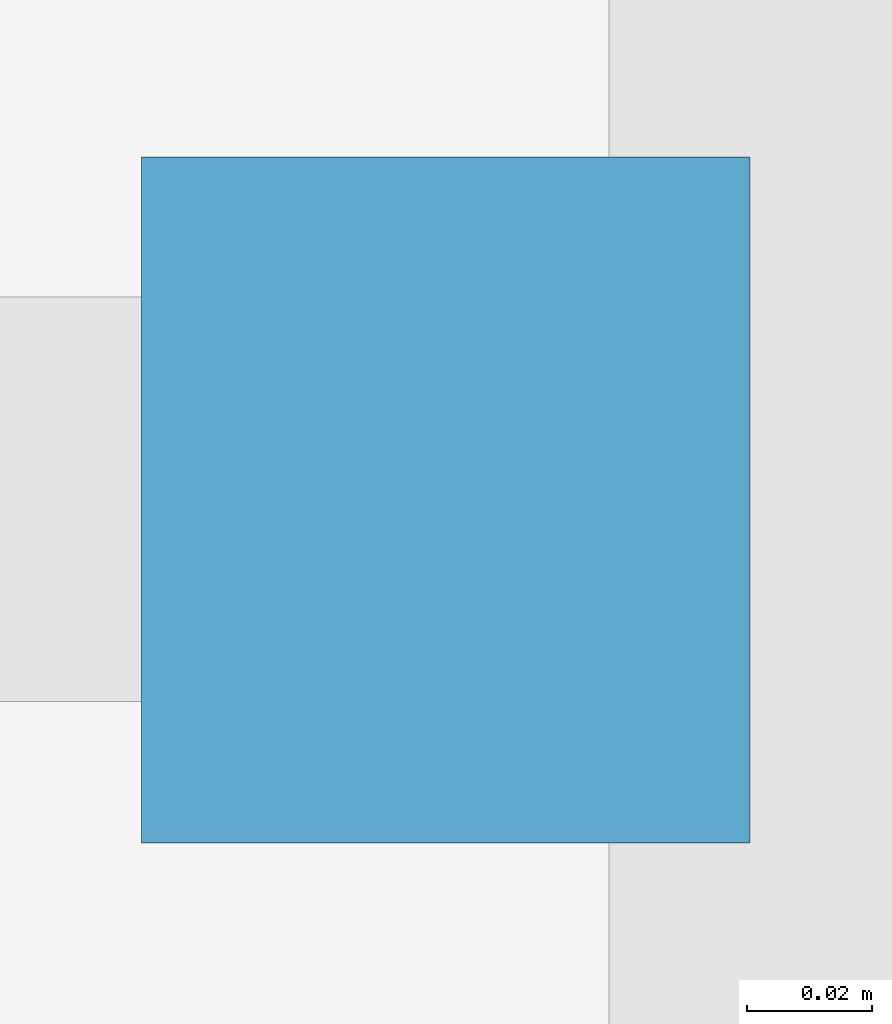
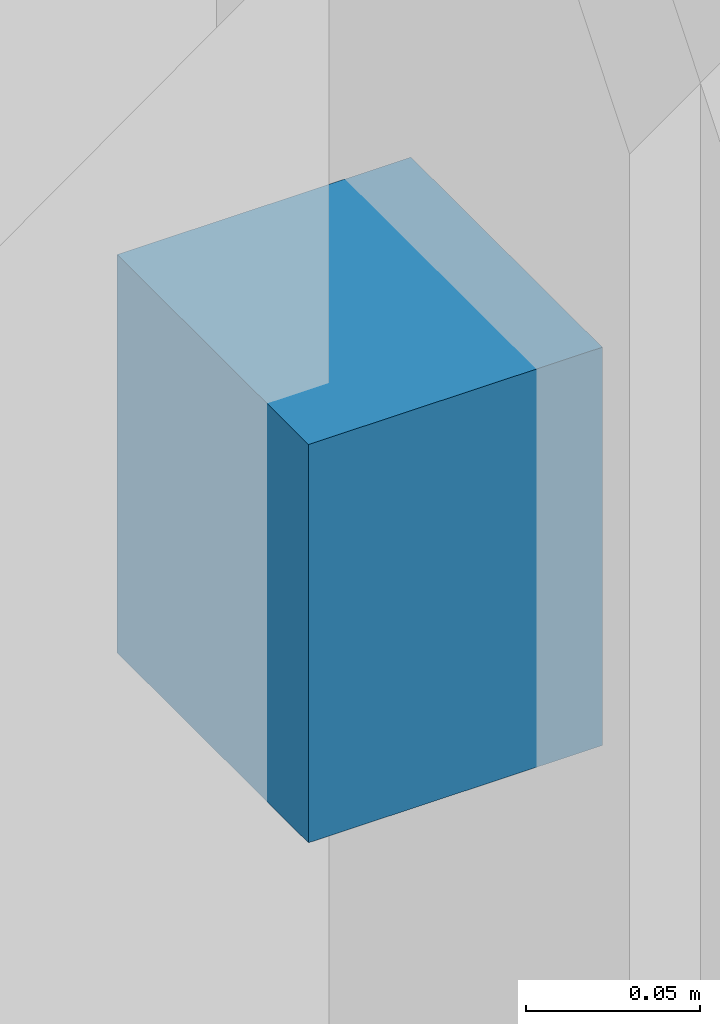
# One storey, part 16 of 27: 1 discrete accessory.
"""IFC4 building model written with IfcOpenShell, lengths in metres."""

from ifc_helpers import new_model, si_unit, direction, frame, origin, place, context, subcontext, project, spatial, polyline, outline, extrude, material, type_object, element, save


model = new_model("IFC4")

# Units and contexts
model_context = context("Model", 3, precision=1e-05, world=origin(), true_north=direction((0.0, 1.0)))
body_context = subcontext(model_context, "Body", "Model", "MODEL_VIEW")
ifc_project = project(units=[si_unit("LENGTHUNIT", "METRE"), si_unit("AREAUNIT", "SQUARE_METRE"), si_unit("VOLUMEUNIT", "CUBIC_METRE"), si_unit("PLANEANGLEUNIT", "RADIAN"), si_unit("MASSUNIT", "GRAM", prefix="KILO")], contexts=[model_context])

# Site, building, storey
site_placement = place(None, origin())
site = spatial("IfcSite", under=ifc_project, at=site_placement, CompositionType="ELEMENT")
building_placement = place(site_placement, origin())
building = spatial("IfcBuilding", under=site, at=building_placement, Name="Qalmaran Belvedere Hotel", CompositionType="ELEMENT")
storey_placement = place(building_placement, frame((0.0, 0.0, 5.39990234375)))
storey = spatial("IfcBuildingStorey", under=building, at=storey_placement, Name="L01", CompositionType="ELEMENT", Elevation=5.39990234375)

# Discrete accessory
ifc_material = material(Name="Stainless Steel 1.4401", Category="steel")
discrete_accessory_type = type_object("IfcDiscreteAccessoryType", Name="BRK-FIN-SS316", PredefinedType="BRACKET", material=ifc_material)
discrete_accessory_placement = place(storey_placement, frame((0.0, 0.0, 2.10009765625)))
element("IfcDiscreteAccessory", 1, at=discrete_accessory_placement, inside=storey, type_object=discrete_accessory_type, Name="L01 Fin Bracket 1", PredefinedType="BRACKET", context=body_context, shape_type="SweptSolid", body=[
    extrude(outline(polyline([(-2.294921875, 42.24169921875), (-2.392578125, 42.24169921875), (-2.392578125, 42.131591796875), (-2.294921875, 42.131591796875), (-2.294921875, 42.24169921875)])), origin(), (0.0, 0.0, 1.0), 0.139892578125),
])

save(model, "model.ifc")
